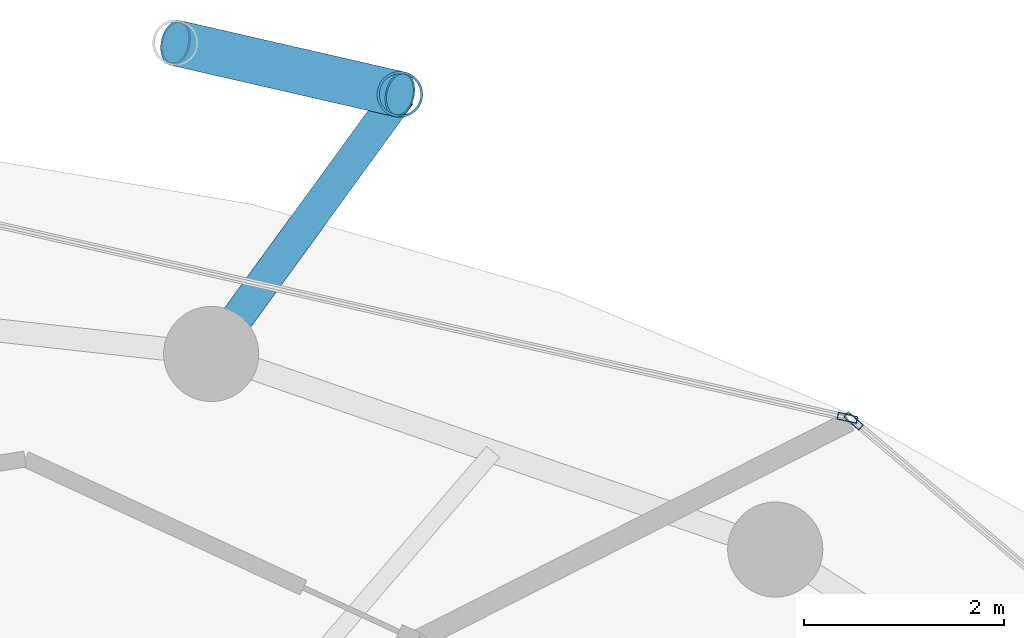
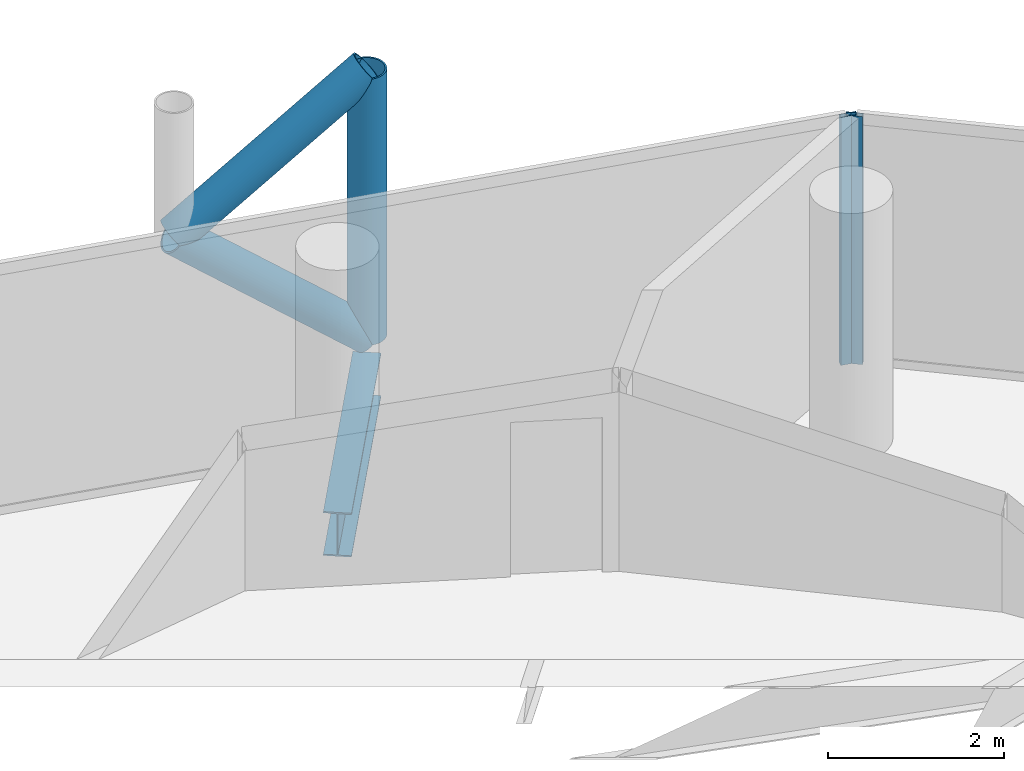
# One storey, part 20 of 26: 5 members, 1 beam, 2 elements without a shape of their own.
"""IFC4 building model written with IfcOpenShell, lengths in metres."""

from ifc_helpers import new_model, si_unit, direction, frame, origin, origin_2d, place, context, subcontext, project, spatial, hollow_rectangle, hollow_circle, i_section, extrude, material, layer, layer_set, material_profile, profile_set, type_object, element, aggregate, save


model = new_model("IFC4")

# Units and contexts
model_context = context("Model", 3, precision=1e-05, world=origin(), true_north=direction((0.0, 1.0)))
body_context = subcontext(model_context, "Body", "Model", "MODEL_VIEW")
ifc_project = project(units=[si_unit("LENGTHUNIT", "METRE"), si_unit("AREAUNIT", "SQUARE_METRE"), si_unit("VOLUMEUNIT", "CUBIC_METRE"), si_unit("PLANEANGLEUNIT", "RADIAN"), si_unit("MASSUNIT", "GRAM", prefix="KILO")], contexts=[model_context])

# Site, building, storey
site_placement = place(None, origin())
site = spatial("IfcSite", under=ifc_project, at=site_placement, CompositionType="ELEMENT")
building_placement = place(site_placement, origin())
building = spatial("IfcBuilding", under=site, at=building_placement, Name="Nuhasar Tower", CompositionType="ELEMENT")
storey_placement = place(building_placement, frame((0.0, 0.0, 184.85009765625)))
storey = spatial("IfcBuildingStorey", under=building, at=storey_placement, Name="L45", CompositionType="ELEMENT", Elevation=184.85009765625)

# Beam
ifc_material_1 = material(Name="Steel S355", Category="steel")
ifc_material_profile_1 = material_profile(ifc_material_1, i_section(OverallWidth=0.323974609375, OverallDepth=0.611083984375, WebThickness=0.0126953125, FlangeThickness=0.01904296875, at=origin_2d()), Name="W24X104")
ifc_profile_set_1 = profile_set([ifc_material_profile_1], Name="Steel S355")
beam_type = type_object("IfcBeamType", Name="BM-TIE-W24X104", PredefinedType="BEAM", material=ifc_profile_set_1)
beam_placement = place(storey_placement, frame((45.04296875, 45.68408203125, -0.55615234375), z_axis=(0.588185286445, 0.808726201387, 0.0), x_axis=(-0.808726201387, 0.588185286445, 0.0)))
element("IfcBeam", 1, at=beam_placement, inside=storey, type_object=beam_type, Name="L45 Exoskeleton Node Tie Beam 03", PredefinedType="BEAM", context=body_context, shape_type="SweptSolid", body=[
    extrude(i_section(OverallWidth=0.323974609375, OverallDepth=0.611083984375, WebThickness=0.0126953125, FlangeThickness=0.01904296875, at=origin_2d()), origin(), (0.0, 0.0, 1.0), 3.204833984375),
])

# Curtain wall, member
ifc_material_2 = material(Name="Aluminium 6063-T6", Category="aluminium")
ifc_layer = layer(ifc_material_2, 0.199951171875)
ifc_layer_set = layer_set([ifc_layer], Name="Aluminium 6063-T6")
curtain_wall_type = type_object("IfcCurtainWallType", Name="CW-Z2-HTL", PredefinedType="NOTDEFINED", material=ifc_layer_set)
curtain_wall_1_placement = place(storey_placement, origin())
curtain_wall_1 = element("IfcCurtainWall", 2, at=curtain_wall_1_placement, inside=storey, type_object=curtain_wall_type, Name="L45 Unitised Curtain Wall 02", PredefinedType="NOTDEFINED")
ifc_material_profile_2 = material_profile(ifc_material_2, hollow_rectangle(XDim=0.070068359375, YDim=0.199951171875, WallThickness=0.0048828125, at=origin_2d()), Name="CWM-3")
ifc_profile_set_2 = profile_set([ifc_material_profile_2], Name="Aluminium 6063-T6")
member_type_1 = type_object("IfcMemberType", Name="CW-MUL-S3", PredefinedType="MULLION", material=ifc_profile_set_2)
member_1_placement = place(storey_placement, frame((51.456787109375, 45.015380859375, 0.0), z_axis=(0.0, 0.0, 1.0), x_axis=(-0.646374438324, -0.763020370292, 0.0)))
member_1 = element("IfcMember", 3, at=member_1_placement, type_object=member_type_1, Name="CW-Z2 mullion 2", PredefinedType="MULLION", context=body_context, shape_type="SweptSolid", body=[
    extrude(hollow_rectangle(XDim=0.070068359375, YDim=0.199951171875, WallThickness=0.0048828125, at=origin_2d()), origin(), (0.0, 0.0, 1.0), 3.449951171875),
])
aggregate(curtain_wall_1, [member_1])

curtain_wall_2_placement = place(storey_placement, origin())
curtain_wall_2 = element("IfcCurtainWall", 4, at=curtain_wall_2_placement, inside=storey, type_object=curtain_wall_type, Name="L45 Unitised Curtain Wall 03", PredefinedType="NOTDEFINED")
member_2_placement = place(storey_placement, frame((51.395751953125, 45.045654296875, 0.0), z_axis=(0.0, 0.0, 1.0), x_axis=(-0.22139729566, -0.975183694221, 0.0)))
member_2 = element("IfcMember", 5, at=member_2_placement, type_object=member_type_1, Name="CW-Z2 mullion 1", PredefinedType="MULLION", context=body_context, shape_type="SweptSolid", body=[
    extrude(hollow_rectangle(XDim=0.070068359375, YDim=0.199951171875, WallThickness=0.0048828125, at=origin_2d()), origin(), (0.0, 0.0, 1.0), 3.449951171875),
])
aggregate(curtain_wall_2, [member_2])

# Members
ifc_material_3 = material(Name="Steel S460", Category="steel")
ifc_material_profile_3 = material_profile(ifc_material_3, hollow_circle(Radius=0.228515625, WallThickness=0.022216796875, at=origin_2d()), Name="HSS457X22.2")
ifc_profile_set_3 = profile_set([ifc_material_profile_3], Name="Steel S460")
member_type_2 = type_object("IfcMemberType", Name="EXO-BRONZE-457", PredefinedType="BRACE", material=ifc_profile_set_3)
member_3_placement = place(storey_placement, frame((46.927978515625, 48.27587890625, 0.0), z_axis=(0.0, 0.0, 1.0), x_axis=(1.0, 0.0, 0.0)))
element("IfcMember", 6, at=member_3_placement, inside=storey, type_object=member_type_2, Name="L45 Exoskeleton Chord Column EC-03A", PredefinedType="BRACE", context=body_context, shape_type="SweptSolid", body=[
    extrude(hollow_circle(Radius=0.228515625, WallThickness=0.022216796875, at=origin_2d()), origin(), (0.0, 0.0, 1.0), 3.699951171875),
])
member_4_placement = place(storey_placement, frame((46.927978515625, 48.27587890625, 0.0), z_axis=(-0.759538919781, 0.174190239035, 0.626704388019), x_axis=(-0.223533724104, -0.974696195842, 0.0)))
element("IfcMember", 7, at=member_4_placement, inside=storey, type_object=member_type_2, Name="L45 Bronze Diagrid Brace W1-03", PredefinedType="BRACE", context=body_context, shape_type="SweptSolid", body=[
    extrude(hollow_circle(Radius=0.228515625, WallThickness=0.022216796875, at=origin_2d()), origin(), (0.0, 0.0, 1.0), 2.95166015625),
])
member_5_placement = place(storey_placement, frame((44.68603515625, 48.7900390625, 1.849853515625), z_axis=(0.759499549084, -0.174181209885, 0.626754609927), x_axis=(0.223533724104, 0.974696195842, 0.0)))
element("IfcMember", 8, at=member_5_placement, inside=storey, type_object=member_type_2, Name="L45 Bronze Diagrid Brace W2-03", PredefinedType="BRACE", context=body_context, shape_type="SweptSolid", body=[
    extrude(hollow_circle(Radius=0.228515625, WallThickness=0.022216796875, at=origin_2d()), origin(), (0.0, 0.0, 1.0), 2.951904296875),
])

save(model, "model.ifc")
